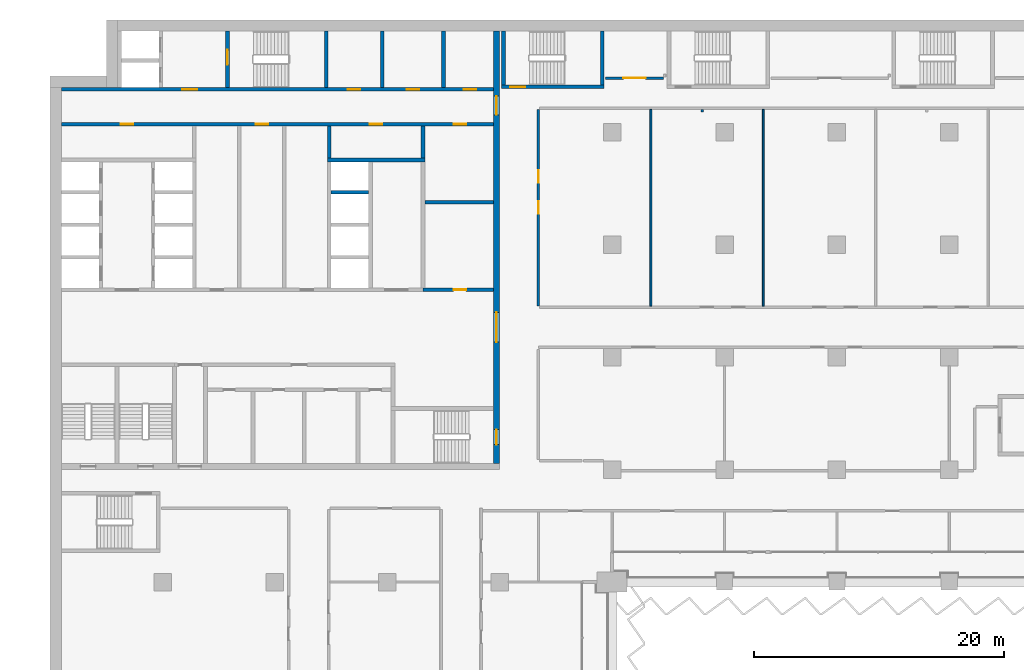
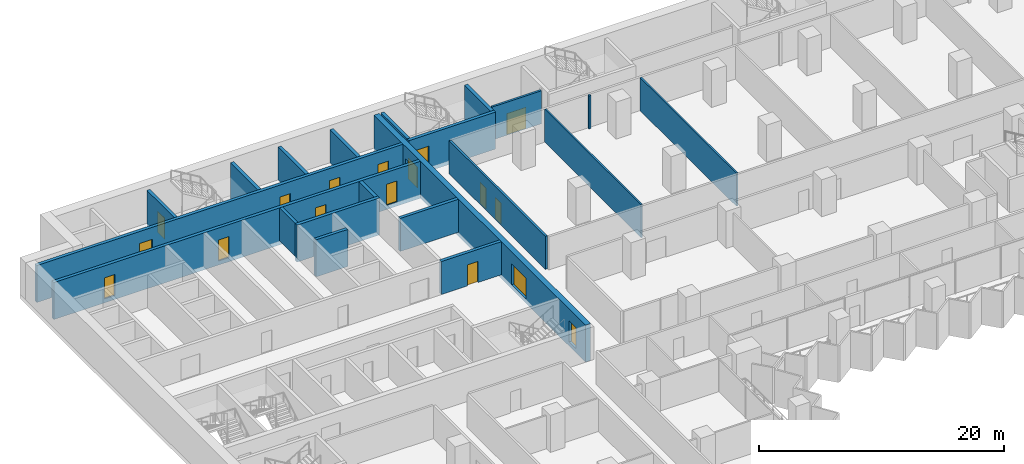
# One storey, part 15 of 29: 21 walls, 17 doors, 17 openings.
"""IFC4 building model written with IfcOpenShell, lengths in metres."""

import ifcopenshell
import ifcopenshell.guid

model = None  # the IFC model being written
_history = None  # IfcOwnerHistory: only IFC2X3 demands one
_inside = {}  # id of a spatial element -> (the spatial element, [elements in it])
_under = {}  # id of a project, library or spatial element -> (it, [spatial elements below it])
_declared = {}  # id of a project -> (the project, [libraries it declares])
_typed = {}  # id of a type object -> (the type object, [elements of that type])
_made_of = {}  # id of a material, layer set ... -> (it, [elements and type objects made of it])


def new_model(schema):
    """Start an empty IFC model of exactly this schema.

    Asked for "IFC4X3", IfcOpenShell would pick the latest addendum, in which some entities
    have other attributes; the version numbers below select the first issue.
    IFC2X3 requires an IfcOwnerHistory on every rooted entity: one is made here for all.
    """
    global model, _history
    if schema == "IFC4X3":
        model = ifcopenshell.file(schema_version=(4, 3, 0, 0))
    else:
        model = ifcopenshell.file(schema=schema)
    _inside.clear()
    _under.clear()
    _declared.clear()
    _typed.clear()
    _made_of.clear()
    _history = None
    if model.schema == "IFC2X3":
        org = make("IfcOrganization", Name="unknown")
        user = make(
            "IfcPersonAndOrganization",
            ThePerson=make("IfcPerson", FamilyName="unknown"),
            TheOrganization=org,
        )
        app = make(
            "IfcApplication",
            ApplicationDeveloper=org,
            Version="unknown",
            ApplicationFullName="unknown",
            ApplicationIdentifier="unknown",
        )
        _history = make(
            "IfcOwnerHistory",
            OwningUser=user,
            OwningApplication=app,
            ChangeAction="ADDED",
            CreationDate=0,
        )
    return model


def make(cls, **values):
    """One entity of the class cls with the attributes given. An attribute that is None is left unset."""
    return model.create_entity(
        cls, **{name: value for name, value in values.items() if value is not None}
    )


def rooted(cls, **values):
    """An entity with a GlobalId (a new one), such as an element, a storey or a relation."""
    return make(cls, GlobalId=ifcopenshell.guid.new(), OwnerHistory=_history, **values)


def si_unit(unit_type, name, prefix=None):
    """IfcSIUnit, for example si_unit("LENGTHUNIT", "METRE", prefix="MILLI")."""
    return make("IfcSIUnit", UnitType=unit_type, Prefix=prefix, Name=name)


def assignment(units):
    """IfcUnitAssignment: the units of a project."""
    return None if units is None else make("IfcUnitAssignment", Units=units)


def point(xyz):
    """IfcCartesianPoint."""
    return None if xyz is None else make("IfcCartesianPoint", Coordinates=xyz)


def direction(xyz):
    """IfcDirection."""
    return None if xyz is None else make("IfcDirection", DirectionRatios=xyz)


def frame(location, z_axis=None, x_axis=None):
    """IfcAxis2Placement3D, a coordinate frame: its origin and axes. An axis left out is left unset."""
    return make(
        "IfcAxis2Placement3D",
        Location=point(location),
        Axis=direction(z_axis),
        RefDirection=direction(x_axis),
    )


def frame_2d(location, x_axis=None):
    """IfcAxis2Placement2D, a coordinate frame in the plane: its origin and x axis."""
    return make(
        "IfcAxis2Placement2D", Location=point(location), RefDirection=direction(x_axis)
    )


def origin():
    """The frame at (0, 0, 0) with its axes left unset."""
    return frame((0.0, 0.0, 0.0))


def place(relative_to, where):
    """IfcLocalPlacement: puts the frame where relative to a parent placement (None: the world)."""
    return make(
        "IfcLocalPlacement", PlacementRelTo=relative_to, RelativePlacement=where
    )


def context(
    kind, dimensions, precision=None, world=None, true_north=None, identifier=None
):
    """IfcGeometricRepresentationContext, for example the 3D "Model" context."""
    return make(
        "IfcGeometricRepresentationContext",
        ContextIdentifier=identifier,
        ContextType=kind,
        CoordinateSpaceDimension=dimensions,
        Precision=precision,
        WorldCoordinateSystem=world,
        TrueNorth=true_north,
    )


def subcontext(parent, identifier, kind, view, scale=None):
    """IfcGeometricRepresentationSubContext, for example "Body" below "Model"."""
    return make(
        "IfcGeometricRepresentationSubContext",
        ContextIdentifier=identifier,
        ContextType=kind,
        ParentContext=parent,
        TargetScale=scale,
        TargetView=view,
    )


def project(units=None, contexts=None):
    """IfcProject with its units and contexts."""
    return rooted(
        "IfcProject",
        Name="project",
        RepresentationContexts=contexts,
        UnitsInContext=assignment(units),
    )


def spatial(cls, under=None, at=None, **own):
    """A site, building, storey or space (cls), placed at a placement, below another one or the project."""
    s = rooted(cls, ObjectPlacement=at, **own)
    if under is not None:
        _under.setdefault(under.id(), (under, []))[1].append(s)
    return s


def profile(cls, at=None, kind="AREA", **sizes):
    """A parametric profile (cls). Its sizes go by their IFC names, for example OverallWidth=200.0."""
    return make(cls, ProfileType=kind, Position=at, **sizes)


def rectangle(**sizes):
    """IfcRectangleProfileDef."""
    return profile("IfcRectangleProfileDef", **sizes)


def extrude(swept, where, along, depth):
    """IfcExtrudedAreaSolid: the profile swept, set in the frame where, extruded along a direction by depth."""
    return make(
        "IfcExtrudedAreaSolid",
        SweptArea=swept,
        Position=where,
        ExtrudedDirection=direction(along),
        Depth=depth,
    )


def shape(context_of_items, identifier, shape_type, items):
    """IfcShapeRepresentation: the items that make up one representation, for example the "Body"."""
    return make(
        "IfcShapeRepresentation",
        ContextOfItems=context_of_items,
        RepresentationIdentifier=identifier,
        RepresentationType=shape_type,
        Items=items,
    )


def material(Name=None, Category=None):
    """IfcMaterial."""
    return make("IfcMaterial", Name=Name, Category=Category)


def layer(
    of_material, thickness, ventilated=None, Name=None, Category=None, Priority=None
):
    """IfcMaterialLayer: one layer of a wall or slab, of a material (None: an air gap)."""
    return make(
        "IfcMaterialLayer",
        Material=of_material,
        LayerThickness=thickness,
        IsVentilated=ventilated,
        Name=Name,
        Category=Category,
        Priority=Priority,
    )


def layer_set(layers, Name=None):
    """IfcMaterialLayerSet."""
    return make("IfcMaterialLayerSet", MaterialLayers=layers, LayerSetName=Name)


def made_of(thing, what):
    """Note that an element or type object is made of a material, layer set ...; save() writes the relation."""
    if what is not None:
        _made_of.setdefault(what.id(), (what, []))[1].append(thing)
    return thing


def type_object(cls, material=None, **own):
    """A type object (cls), such as IfcWallType, which elements share."""
    return made_of(rooted(cls, **own), material)


def element(
    cls,
    number,
    at=None,
    inside=None,
    cuts=None,
    type_object=None,
    material=None,
    context=None,
    identifier="Body",
    shape_type=None,
    held_by="IfcProductDefinitionShape",
    body=None,
    shapes=None,
    **own,
):
    """One element of the class cls, such as IfcWall. Its Tag is "e" and its number.

    at: its placement. inside: the storey or other place that contains it. cuts: it is an
    opening in that element (IfcRelVoidsElement). A single representation is given by context,
    identifier, shape_type and body (its items); several are given by shapes. held_by: the class
    of the entity that holds the representations. save() writes the other relations.
    """
    e = rooted(cls, Tag="e%d" % number, ObjectPlacement=at, **own)
    if body is not None:
        shapes = [shape(context, identifier, shape_type, body)]
    if shapes is not None:
        e.Representation = make(held_by, Representations=shapes)
    if inside is not None:
        _inside.setdefault(inside.id(), (inside, []))[1].append(e)
    if cuts is not None:
        rooted(
            "IfcRelVoidsElement", RelatingBuildingElement=cuts, RelatedOpeningElement=e
        )
    if type_object is not None:
        _typed.setdefault(type_object.id(), (type_object, []))[1].append(e)
    return made_of(e, material)


def fill(opening, filler):
    """IfcRelFillsElement: the door or window that sits in an opening."""
    return rooted(
        "IfcRelFillsElement",
        RelatingOpeningElement=opening,
        RelatedBuildingElement=filler,
    )


def aggregate(whole, parts):
    """IfcRelAggregates: a whole, such as a stair, and the parts it consists of."""
    return rooted("IfcRelAggregates", RelatingObject=whole, RelatedObjects=parts)


def save(model, path):
    """Write the relations noted so far, then the file.

    IfcRelAggregates (storeys below a building ...), IfcRelContainedInSpatialStructure (elements
    in a storey), IfcRelDefinesByType, IfcRelAssociatesMaterial and IfcRelDeclares: one each for
    every whole, place, type object, material and project.
    """
    for whole, parts in _under.values():
        aggregate(whole, parts)
    for where, things in _inside.values():
        rooted(
            "IfcRelContainedInSpatialStructure",
            RelatedElements=things,
            RelatingStructure=where,
        )
    for kind, things in _typed.values():
        rooted("IfcRelDefinesByType", RelatedObjects=things, RelatingType=kind)
    for what, things in _made_of.values():
        rooted("IfcRelAssociatesMaterial", RelatedObjects=things, RelatingMaterial=what)
    for by, libraries in _declared.values():
        rooted("IfcRelDeclares", RelatingContext=by, RelatedDefinitions=libraries)
    model.write(path)


model = new_model("IFC4")

# Units and contexts
model_context = context("Model", 3, precision=1e-05, world=origin(), true_north=direction((0.0, 1.0)))
body_context = subcontext(model_context, "Body", "Model", "MODEL_VIEW")
ifc_project = project(units=[si_unit("LENGTHUNIT", "METRE"), si_unit("AREAUNIT", "SQUARE_METRE"), si_unit("VOLUMEUNIT", "CUBIC_METRE"), si_unit("PLANEANGLEUNIT", "RADIAN"), si_unit("MASSUNIT", "GRAM", prefix="KILO")], contexts=[model_context])

# Site, building, storey
site_placement = place(None, origin())
site = spatial("IfcSite", under=ifc_project, at=site_placement, CompositionType="ELEMENT")
building_placement = place(site_placement, origin())
building = spatial("IfcBuilding", under=site, at=building_placement, Name="Hunhe Ridgeline Campus", CompositionType="ELEMENT")
storey_placement = place(building_placement, frame((0.0, 0.0, 46.89990234375)))
storey = spatial("IfcBuildingStorey", under=building, at=storey_placement, Name="L10", CompositionType="ELEMENT", Elevation=46.89990234375)

# Wall, opening, door
ifc_material_1 = material(Name="Masonry concrete blockwork", Category="masonry")
ifc_layer_1 = layer(ifc_material_1, 0.300048828125)
ifc_layer_set_1 = layer_set([ifc_layer_1], Name="Core room partition 300 concrete block")
wall_type_1 = type_object("IfcWallType", Name="Core room partition 300 concrete block", PredefinedType="PARTITIONING", material=ifc_layer_set_1)
wall_1_placement = place(storey_placement, frame((29.85009765625, 77.39990234375, 0.0), z_axis=(0.0, 0.0, 1.0), x_axis=(1.0, 0.0, 0.0)))
wall_1 = element("IfcWall", 1, at=wall_1_placement, inside=storey, type_object=wall_type_1, Name="L10 core partition 15", PredefinedType="PARTITIONING", context=body_context, shape_type="SweptSolid", body=[
    extrude(rectangle(XDim=5.64990234375, YDim=0.300048828125, at=frame_2d((2.824951171875, 0.0))), origin(), (0.0, 0.0, 1.0), 3.300048828125),
])
opening_1_placement = place(wall_1_placement, frame((2.449951171875, 0.0, 0.0)))
opening_1 = element("IfcOpeningElement", 2, at=opening_1_placement, cuts=wall_1, Name="Opening CD32", PredefinedType="OPENING", context=body_context, shape_type="SweptSolid", body=[
    extrude(rectangle(XDim=1.0, YDim=2.10009765625, at=frame_2d((0.5, 1.050048828125))), frame((0.0, 0.14990234375, 0.0), z_axis=(0.0, -1.0, 0.0), x_axis=(1.0, 0.0, 0.0)), (0.0, 0.0, 1.0), 0.300048828125),
])
ifc_material_2 = material(Name="Solid core timber door leaf", Category="wood")
door_type_1 = type_object("IfcDoorType", Name="Timber door 1000x2100", OperationType="SINGLE_SWING_LEFT", PredefinedType="DOOR", material=ifc_material_2)
door_1_placement = place(opening_1_placement, origin())
door_1 = element("IfcDoor", 3, at=door_1_placement, inside=storey, type_object=door_type_1, Name="L10 door ES0", OperationType="SINGLE_SWING_LEFT", OverallHeight=2.10009765625, OverallWidth=1.0, PredefinedType="DOOR", context=body_context, shape_type="SweptSolid", body=[
    extrude(rectangle(XDim=1.0, YDim=2.10009765625, at=frame_2d((0.5, 1.050048828125))), frame((0.0, 0.02490234375, 0.0), z_axis=(0.0, -1.0, 0.0), x_axis=(1.0, 0.0, 0.0)), (0.0, 0.0, 1.0), 0.050048828125),
])
fill(opening_1, door_1)

# Walls
wall_2_placement = place(storey_placement, frame((30.0, 84.39990234375, 0.0), z_axis=(0.0, 0.0, 1.0), x_axis=(1.0, 0.0, 0.0)))
element("IfcWall", 4, at=wall_2_placement, inside=storey, type_object=wall_type_1, Name="L10 core partition 22", PredefinedType="PARTITIONING", context=body_context, shape_type="SweptSolid", body=[
    extrude(rectangle(XDim=5.5, YDim=0.300048828125, at=frame_2d((2.75, 0.0))), origin(), (0.0, 0.0, 1.0), 3.300048828125),
])
wall_3_placement = place(storey_placement, frame((22.35009765625, 87.949951171875, 0.0), z_axis=(0.0, 0.0, 1.0), x_axis=(0.0, 1.0, 0.0)))
element("IfcWall", 5, at=wall_3_placement, inside=storey, type_object=wall_type_1, Name="L10 core partition 54", PredefinedType="PARTITIONING", context=body_context, shape_type="SweptSolid", body=[
    extrude(rectangle(XDim=2.550048828125, YDim=0.300048828125, at=frame_2d((1.27490234375, 0.0))), origin(), (0.0, 0.0, 1.0), 3.300048828125),
])
wall_4_placement = place(storey_placement, frame((26.60009765625, 93.60009765625, 0.0), z_axis=(0.0, 0.0, 1.0), x_axis=(0.0, 1.0, 0.0)))
element("IfcWall", 6, at=wall_4_placement, inside=storey, type_object=wall_type_1, Name="L10 core partition 58", PredefinedType="PARTITIONING", context=body_context, shape_type="SweptSolid", body=[
    extrude(rectangle(XDim=4.5, YDim=0.300048828125, at=frame_2d((2.25, 0.0))), origin(), (0.0, 0.0, 1.0), 3.300048828125),
])
wall_5_placement = place(storey_placement, frame((29.85009765625, 87.949951171875, 0.0), z_axis=(0.0, 0.0, 1.0), x_axis=(0.0, 1.0, 0.0)))
element("IfcWall", 7, at=wall_5_placement, inside=storey, type_object=wall_type_1, Name="L10 core partition 62", PredefinedType="PARTITIONING", context=body_context, shape_type="SweptSolid", body=[
    extrude(rectangle(XDim=2.550048828125, YDim=0.300048828125, at=frame_2d((1.27490234375, 0.0))), origin(), (0.0, 0.0, 1.0), 3.300048828125),
])
wall_6_placement = place(storey_placement, frame((31.5, 93.60009765625, 0.0), z_axis=(0.0, 0.0, 1.0), x_axis=(0.0, 1.0, 0.0)))
element("IfcWall", 8, at=wall_6_placement, inside=storey, type_object=wall_type_1, Name="L10 core partition 63", PredefinedType="PARTITIONING", context=body_context, shape_type="SweptSolid", body=[
    extrude(rectangle(XDim=4.5, YDim=0.300048828125, at=frame_2d((2.25, 0.0))), origin(), (0.0, 0.0, 1.0), 3.300048828125),
])

# Wall, openings, doors
ifc_material_3 = material(Name="Concrete C80", Category="concrete")
ifc_layer_2 = layer(ifc_material_3, 0.5)
ifc_layer_set_2 = layer_set([ifc_layer_2], Name="Core wall 500 reinforced concrete C80")
wall_type_2 = type_object("IfcWallType", Name="Core wall 500 reinforced concrete C80", PredefinedType="SOLIDWALL", material=ifc_layer_set_2)
wall_7_placement = place(storey_placement, frame((35.75, 63.5, -0.39990234375), z_axis=(0.0, 0.0, 1.0), x_axis=(0.0, 1.0, 0.0)))
wall_7 = element("IfcWall", 9, at=wall_7_placement, inside=storey, type_object=wall_type_2, Name="L10 core wall 64", PredefinedType="SOLIDWALL", context=body_context, shape_type="SweptSolid", body=[
    extrude(rectangle(XDim=34.60009765625, YDim=0.5, at=frame_2d((17.300048828125, 0.0))), origin(), (0.0, 0.0, 1.0), 3.699951171875),
])
opening_2_placement = place(wall_7_placement, frame((9.699951171875, 0.0, 0.39990234375)))
opening_2 = element("IfcOpeningElement", 10, at=opening_2_placement, cuts=wall_7, Name="Opening CD4", PredefinedType="OPENING", context=body_context, shape_type="SweptSolid", body=[
    extrude(rectangle(XDim=2.39990234375, YDim=2.10009765625, at=frame_2d((1.199951171875, 1.050048828125))), frame((0.0, 0.25, 0.0), z_axis=(0.0, -1.0, 0.0), x_axis=(1.0, 0.0, 0.0)), (0.0, 0.0, 1.0), 0.5),
])
opening_3_placement = place(wall_7_placement, frame((27.89990234375, 0.0, 0.39990234375)))
opening_3 = element("IfcOpeningElement", 11, at=opening_3_placement, cuts=wall_7, Name="Opening CD5", PredefinedType="OPENING", context=body_context, shape_type="SweptSolid", body=[
    extrude(rectangle(XDim=1.5, YDim=2.10009765625, at=frame_2d((0.75, 1.050048828125))), frame((0.0, 0.25, 0.0), z_axis=(0.0, -1.0, 0.0), x_axis=(1.0, 0.0, 0.0)), (0.0, 0.0, 1.0), 0.5),
])
opening_4_placement = place(wall_7_placement, frame((1.5, 0.0, 0.39990234375)))
opening_4 = element("IfcOpeningElement", 12, at=opening_4_placement, cuts=wall_7, Name="Opening CD15", PredefinedType="OPENING", context=body_context, shape_type="SweptSolid", body=[
    extrude(rectangle(XDim=1.199951171875, YDim=2.10009765625, at=frame_2d((0.60009765625, 1.050048828125))), frame((0.0, 0.25, 0.0), z_axis=(0.0, -1.0, 0.0), x_axis=(1.0, 0.0, 0.0)), (0.0, 0.0, 1.0), 0.5),
])
ifc_material_4 = material(Name="Anodised aluminium and glass", Category="aluminium")
door_type_2 = type_object("IfcDoorType", Name="Glazed double door 2400x2100", OperationType="DOUBLE_DOOR_SINGLE_SWING", PredefinedType="DOOR", material=ifc_material_4)
door_2_placement = place(opening_2_placement, frame((2.39990234375, 0.0, 0.0), z_axis=(0.0, 0.0, 1.0), x_axis=(-1.0, 0.0, 0.0)))
door_2 = element("IfcDoor", 13, at=door_2_placement, inside=storey, type_object=door_type_2, Name="L10 door HALL-FLOOR", OperationType="DOUBLE_DOOR_SINGLE_SWING", OverallHeight=2.10009765625, OverallWidth=2.39990234375, PredefinedType="DOOR", context=body_context, shape_type="SweptSolid", body=[
    extrude(rectangle(XDim=2.39990234375, YDim=2.10009765625, at=frame_2d((1.199951171875, 1.050048828125))), frame((0.0, 0.02490234375, 0.0), z_axis=(0.0, -1.0, 0.0), x_axis=(1.0, 0.0, 0.0)), (0.0, 0.0, 1.0), 0.050048828125),
])
fill(opening_2, door_2)
ifc_material_5 = material(Name="Hollow metal fire door leaf")
door_type_3 = type_object("IfcDoorType", Name="Stair door 1200x2100 FD60", OperationType="SINGLE_SWING_LEFT", PredefinedType="DOOR", material=ifc_material_5)
door_3_placement = place(opening_4_placement, frame((1.199951171875, 0.0, 0.0), z_axis=(0.0, 0.0, 1.0), x_axis=(-1.0, 0.0, 0.0)))
door_3 = element("IfcDoor", 14, at=door_3_placement, inside=storey, type_object=door_type_3, Name="L10 door S2-FLOOR", OperationType="SINGLE_SWING_RIGHT", OverallHeight=2.10009765625, OverallWidth=1.199951171875, PredefinedType="DOOR", context=body_context, shape_type="SweptSolid", body=[
    extrude(rectangle(XDim=1.199951171875, YDim=2.10009765625, at=frame_2d((0.60009765625, 1.050048828125))), frame((0.0, 0.02490234375, 0.0), z_axis=(0.0, -1.0, 0.0), x_axis=(1.0, 0.0, 0.0)), (0.0, 0.0, 1.0), 0.050048828125),
])
fill(opening_4, door_3)
door_type_4 = type_object("IfcDoorType", Name="Timber door 1500x2100", OperationType="SINGLE_SWING_LEFT", PredefinedType="DOOR", material=ifc_material_2)
door_4_placement = place(opening_3_placement, frame((1.5, 0.0, 0.0), z_axis=(0.0, 0.0, 1.0), x_axis=(-1.0, 0.0, 0.0)))
door_4 = element("IfcDoor", 15, at=door_4_placement, inside=storey, type_object=door_type_4, Name="L10 door C1-FLOOR", OperationType="SINGLE_SWING_RIGHT", OverallHeight=2.10009765625, OverallWidth=1.5, PredefinedType="DOOR", context=body_context, shape_type="SweptSolid", body=[
    extrude(rectangle(XDim=1.5, YDim=2.10009765625, at=frame_2d((0.75, 1.050048828125))), frame((0.0, 0.02490234375, 0.0), z_axis=(0.0, -1.0, 0.0), x_axis=(1.0, 0.0, 0.0)), (0.0, 0.0, 1.0), 0.050048828125),
])
fill(opening_3, door_4)

# Wall, opening, door
ifc_material_6 = material(Name="Gypsum board partition")
ifc_layer_3 = layer(ifc_material_6, 0.199951171875)
ifc_layer_set_3 = layer_set([ifc_layer_3], Name="Corridor partition 200 gypsum board on steel studs")
wall_type_3 = type_object("IfcWallType", Name="Corridor partition 200 gypsum board on steel studs", PredefinedType="PARTITIONING", material=ifc_layer_set_3)
wall_8_placement = place(storey_placement, frame((44.4541015625, 94.35009765625, 0.0), z_axis=(0.0, 0.0, 1.0), x_axis=(1.0, 0.0, 0.0)))
wall_8 = element("IfcWall", 16, at=wall_8_placement, inside=storey, type_object=wall_type_3, Name="F-L10-wall-052", PredefinedType="PARTITIONING", context=body_context, shape_type="SweptSolid", body=[
    extrude(rectangle(XDim=4.6708984375, YDim=0.199951171875, at=frame_2d((2.33544921875, 0.0))), origin(), (0.0, 0.0, 1.0), 3.300048828125),
])
opening_5_placement = place(wall_8_placement, frame((1.435546875, 0.0, 0.0)))
opening_5 = element("IfcOpeningElement", 17, at=opening_5_placement, cuts=wall_8, Name="Opening RD2-047", PredefinedType="OPENING", context=body_context, shape_type="SweptSolid", body=[
    extrude(rectangle(XDim=1.800048828125, YDim=2.10009765625, at=frame_2d((0.89990234375, 1.050048828125))), frame((0.0, 0.10009765625, 0.0), z_axis=(0.0, -1.0, 0.0), x_axis=(1.0, 0.0, 0.0)), (0.0, 0.0, 1.0), 0.199951171875),
])
ifc_material_7 = material(Name="Timber door leaf", Category="wood")
door_type_5 = type_object("IfcDoorType", Name="Double fire door 1800x2100 timber FD60", OperationType="DOUBLE_DOOR_SINGLE_SWING", PredefinedType="DOOR", material=ifc_material_7)
door_5_placement = place(opening_5_placement, origin())
door_5 = element("IfcDoor", 18, at=door_5_placement, inside=storey, type_object=door_type_5, Name="F-L10-door-047", OperationType="DOUBLE_DOOR_SINGLE_SWING", OverallHeight=2.10009765625, OverallWidth=1.800048828125, PredefinedType="DOOR", context=body_context, shape_type="SweptSolid", body=[
    extrude(rectangle(XDim=1.800048828125, YDim=2.10009765625, at=frame_2d((0.89990234375, 1.050048828125))), frame((0.0, 0.02490234375, 0.0), z_axis=(0.0, -1.0, 0.0), x_axis=(1.0, 0.0, 0.0)), (0.0, 0.0, 1.0), 0.050048828125),
])
fill(opening_5, door_5)

# Wall, openings, doors
wall_9_placement = place(storey_placement, frame((39.10009765625, 91.85009765625, 0.0), z_axis=(0.0, 0.0, 1.0), x_axis=(0.0, -1.0, 0.0)))
wall_9 = element("IfcWall", 19, at=wall_9_placement, inside=storey, type_object=wall_type_3, Name="F-L10-wall-070", PredefinedType="PARTITIONING", context=body_context, shape_type="SweptSolid", body=[
    extrude(rectangle(XDim=15.75, YDim=0.199951171875, at=frame_2d((7.875, 0.0))), origin(), (0.0, 0.0, 1.0), 3.300048828125),
])
opening_6_placement = place(wall_9_placement, frame((7.375, 0.0, 0.0)))
opening_6 = element("IfcOpeningElement", 20, at=opening_6_placement, cuts=wall_9, Name="Opening RD1-045", PredefinedType="OPENING", context=body_context, shape_type="SweptSolid", body=[
    extrude(rectangle(XDim=1.0, YDim=2.10009765625, at=frame_2d((0.5, 1.050048828125))), frame((0.0, 0.10009765625, 0.0), z_axis=(0.0, -1.0, 0.0), x_axis=(1.0, 0.0, 0.0)), (0.0, 0.0, 1.0), 0.199951171875),
])
opening_7_placement = place(wall_9_placement, frame((4.875, 0.0, 0.0)))
opening_7 = element("IfcOpeningElement", 21, at=opening_7_placement, cuts=wall_9, Name="Opening RD1-046", PredefinedType="OPENING", context=body_context, shape_type="SweptSolid", body=[
    extrude(rectangle(XDim=1.0, YDim=2.10009765625, at=frame_2d((0.5, 1.050048828125))), frame((0.0, 0.10009765625, 0.0), z_axis=(0.0, -1.0, 0.0), x_axis=(1.0, 0.0, 0.0)), (0.0, 0.0, 1.0), 0.199951171875),
])
door_type_6 = type_object("IfcDoorType", Name="Single fire door 1000x2100 timber FD60", OperationType="NOTDEFINED", PredefinedType="DOOR", material=ifc_material_7)
door_6_placement = place(opening_6_placement, frame((1.0, 0.0, 0.0), z_axis=(0.0, 0.0, 1.0), x_axis=(-1.0, 0.0, 0.0)))
door_6 = element("IfcDoor", 22, at=door_6_placement, inside=storey, type_object=door_type_6, Name="F-L10-door-045", OperationType="SINGLE_SWING_LEFT", OverallHeight=2.10009765625, OverallWidth=1.0, PredefinedType="DOOR", context=body_context, shape_type="SweptSolid", body=[
    extrude(rectangle(XDim=1.0, YDim=2.10009765625, at=frame_2d((0.5, 1.050048828125))), frame((0.0, 0.02490234375, 0.0), z_axis=(0.0, -1.0, 0.0), x_axis=(1.0, 0.0, 0.0)), (0.0, 0.0, 1.0), 0.050048828125),
])
fill(opening_6, door_6)
door_7_placement = place(opening_7_placement, frame((1.0, 0.0, 0.0), z_axis=(0.0, 0.0, 1.0), x_axis=(-1.0, 0.0, 0.0)))
door_7 = element("IfcDoor", 23, at=door_7_placement, inside=storey, type_object=door_type_6, Name="F-L10-door-046", OperationType="SINGLE_SWING_RIGHT", OverallHeight=2.10009765625, OverallWidth=1.0, PredefinedType="DOOR", context=body_context, shape_type="SweptSolid", body=[
    extrude(rectangle(XDim=1.0, YDim=2.10009765625, at=frame_2d((0.5, 1.050048828125))), frame((0.0, 0.02490234375, 0.0), z_axis=(0.0, -1.0, 0.0), x_axis=(1.0, 0.0, 0.0)), (0.0, 0.0, 1.0), 0.050048828125),
])
fill(opening_7, door_7)

# Wall
wall_10_placement = place(storey_placement, frame((52.199951171875, 91.85009765625, 0.0), z_axis=(0.0, 0.0, 1.0), x_axis=(0.0, -1.0, 0.0)))
element("IfcWall", 24, at=wall_10_placement, inside=storey, type_object=wall_type_3, Name="F-L10-wall-074", PredefinedType="PARTITIONING", context=body_context, shape_type="SweptSolid", body=[
    extrude(rectangle(XDim=0.2001953125, YDim=0.199951171875, at=frame_2d((0.10009765625, 0.0))), origin(), (0.0, 0.0, 1.0), 3.300048828125),
])

# Wall, openings, doors
ifc_layer_4 = layer(ifc_material_3, 0.300048828125)
ifc_layer_set_4 = layer_set([ifc_layer_4], Name="Lobby wall 300 reinforced concrete C80")
wall_type_4 = type_object("IfcWallType", Name="Lobby wall 300 reinforced concrete C80", PredefinedType="SOLIDWALL", material=ifc_layer_set_4)
wall_11_placement = place(storey_placement, frame((0.89990234375, 90.64990234375, -0.39990234375), z_axis=(0.0, 0.0, 1.0), x_axis=(1.0, 0.0, 0.0)))
wall_11 = element("IfcWall", 25, at=wall_11_placement, inside=storey, type_object=wall_type_4, Name="L10 core wall 28", PredefinedType="SOLIDWALL", context=body_context, shape_type="SweptSolid", body=[
    extrude(rectangle(XDim=34.60009765625, YDim=0.300048828125, at=frame_2d((17.300048828125, 0.0))), origin(), (0.0, 0.0, 1.0), 3.699951171875),
])
opening_8_placement = place(wall_11_placement, frame((4.75, 0.0, 0.39990234375)))
opening_8 = element("IfcOpeningElement", 26, at=opening_8_placement, cuts=wall_11, Name="Opening CD26", PredefinedType="OPENING", context=body_context, shape_type="SweptSolid", body=[
    extrude(rectangle(XDim=1.0, YDim=2.10009765625, at=frame_2d((0.5, 1.050048828125))), frame((0.0, 0.14990234375, 0.0), z_axis=(0.0, -1.0, 0.0), x_axis=(1.0, 0.0, 0.0)), (0.0, 0.0, 1.0), 0.300048828125),
])
opening_9_placement = place(wall_11_placement, frame((24.699951171875, 0.0, 0.39990234375)))
opening_9 = element("IfcOpeningElement", 27, at=opening_9_placement, cuts=wall_11, Name="Opening CD27", PredefinedType="OPENING", context=body_context, shape_type="SweptSolid", body=[
    extrude(rectangle(XDim=1.0, YDim=2.10009765625, at=frame_2d((0.5, 1.050048828125))), frame((0.0, 0.14990234375, 0.0), z_axis=(0.0, -1.0, 0.0), x_axis=(1.0, 0.0, 0.0)), (0.0, 0.0, 1.0), 0.300048828125),
])
opening_10_placement = place(wall_11_placement, frame((15.550048828125, 0.0, 0.39990234375)))
opening_10 = element("IfcOpeningElement", 28, at=opening_10_placement, cuts=wall_11, Name="Opening CD29", PredefinedType="OPENING", context=body_context, shape_type="SweptSolid", body=[
    extrude(rectangle(XDim=1.0, YDim=2.10009765625, at=frame_2d((0.5, 1.050048828125))), frame((0.0, 0.14990234375, 0.0), z_axis=(0.0, -1.0, 0.0), x_axis=(1.0, 0.0, 0.0)), (0.0, 0.0, 1.0), 0.300048828125),
])
opening_11_placement = place(wall_11_placement, frame((31.39990234375, 0.0, 0.39990234375)))
opening_11 = element("IfcOpeningElement", 29, at=opening_11_placement, cuts=wall_11, Name="Opening CD33", PredefinedType="OPENING", context=body_context, shape_type="SweptSolid", body=[
    extrude(rectangle(XDim=1.0, YDim=2.10009765625, at=frame_2d((0.5, 1.050048828125))), frame((0.0, 0.14990234375, 0.0), z_axis=(0.0, -1.0, 0.0), x_axis=(1.0, 0.0, 0.0)), (0.0, 0.0, 1.0), 0.300048828125),
])
door_8_placement = place(opening_8_placement, frame((1.0, 0.0, 0.0), z_axis=(0.0, 0.0, 1.0), x_axis=(-1.0, 0.0, 0.0)))
door_8 = element("IfcDoor", 30, at=door_8_placement, inside=storey, type_object=door_type_1, Name="L10 door NR-0", OperationType="SINGLE_SWING_RIGHT", OverallHeight=2.10009765625, OverallWidth=1.0, PredefinedType="DOOR", context=body_context, shape_type="SweptSolid", body=[
    extrude(rectangle(XDim=1.0, YDim=2.10009765625, at=frame_2d((0.5, 1.050048828125))), frame((0.0, 0.02490234375, 0.0), z_axis=(0.0, -1.0, 0.0), x_axis=(1.0, 0.0, 0.0)), (0.0, 0.0, 1.0), 0.050048828125),
])
fill(opening_8, door_8)
door_9_placement = place(opening_9_placement, frame((1.0, 0.0, 0.0), z_axis=(0.0, 0.0, 1.0), x_axis=(-1.0, 0.0, 0.0)))
door_9 = element("IfcDoor", 31, at=door_9_placement, inside=storey, type_object=door_type_1, Name="L10 door NR-1", OperationType="SINGLE_SWING_LEFT", OverallHeight=2.10009765625, OverallWidth=1.0, PredefinedType="DOOR", context=body_context, shape_type="SweptSolid", body=[
    extrude(rectangle(XDim=1.0, YDim=2.10009765625, at=frame_2d((0.5, 1.050048828125))), frame((0.0, 0.02490234375, 0.0), z_axis=(0.0, -1.0, 0.0), x_axis=(1.0, 0.0, 0.0)), (0.0, 0.0, 1.0), 0.050048828125),
])
fill(opening_9, door_9)
door_10_placement = place(opening_10_placement, frame((1.0, 0.0, 0.0), z_axis=(0.0, 0.0, 1.0), x_axis=(-1.0, 0.0, 0.0)))
door_10 = element("IfcDoor", 32, at=door_10_placement, inside=storey, type_object=door_type_1, Name="L10 door VD-HR1", OperationType="SINGLE_SWING_LEFT", OverallHeight=2.10009765625, OverallWidth=1.0, PredefinedType="DOOR", context=body_context, shape_type="SweptSolid", body=[
    extrude(rectangle(XDim=1.0, YDim=2.10009765625, at=frame_2d((0.5, 1.050048828125))), frame((0.0, 0.02490234375, 0.0), z_axis=(0.0, -1.0, 0.0), x_axis=(1.0, 0.0, 0.0)), (0.0, 0.0, 1.0), 0.050048828125),
])
fill(opening_10, door_10)
door_11_placement = place(opening_11_placement, frame((1.0, 0.0, 0.0), z_axis=(0.0, 0.0, 1.0), x_axis=(-1.0, 0.0, 0.0)))
door_11 = element("IfcDoor", 33, at=door_11_placement, inside=storey, type_object=door_type_1, Name="L10 door ES1", OperationType="SINGLE_SWING_LEFT", OverallHeight=2.10009765625, OverallWidth=1.0, PredefinedType="DOOR", context=body_context, shape_type="SweptSolid", body=[
    extrude(rectangle(XDim=1.0, YDim=2.10009765625, at=frame_2d((0.5, 1.050048828125))), frame((0.0, 0.02490234375, 0.0), z_axis=(0.0, -1.0, 0.0), x_axis=(1.0, 0.0, 0.0)), (0.0, 0.0, 1.0), 0.050048828125),
])
fill(opening_11, door_11)

# Walls
ifc_layer_5 = layer(ifc_material_6, 0.14990234375)
ifc_layer_set_5 = layer_set([ifc_layer_5], Name="Room partition 150 gypsum board on steel studs")
wall_type_5 = type_object("IfcWallType", Name="Room partition 150 gypsum board on steel studs", PredefinedType="PARTITIONING", material=ifc_layer_set_5)
for number, where, z_axis, x_axis, name in (
    (34, (48.10009765625, 91.85009765625, 0.0), (0.0, 0.0, 1.0), (0.0, -1.0, 0.0), "F-L10-wall-072"),
    (35, (57.10009765625, 91.85009765625, 0.0), (0.0, 0.0, 1.0), (0.0, -1.0, 0.0), "F-L10-wall-077"),
):
    element("IfcWall", number, at=place(storey_placement, frame(where, z_axis=z_axis, x_axis=x_axis)), inside=storey, type_object=wall_type_5, Name=name, PredefinedType="PARTITIONING", context=body_context, shape_type="SweptSolid", body=[
        extrude(rectangle(XDim=15.75, YDim=0.14990234375, at=frame_2d((7.875, 0.0))), origin(), (0.0, 0.0, 1.0), 3.300048828125),
    ])
ifc_layer_6 = layer(ifc_material_3, 0.300048828125)
ifc_layer_set_6 = layer_set([ifc_layer_6], Name="Shaft wall 300 reinforced concrete C80")
wall_type_6 = type_object("IfcWallType", Name="Shaft wall 300 reinforced concrete C80", PredefinedType="SOLIDWALL", material=ifc_layer_set_6)
wall_12_placement = place(storey_placement, frame((22.5, 85.199951171875, -0.39990234375), z_axis=(0.0, 0.0, 1.0), x_axis=(1.0, 0.0, 0.0)))
element("IfcWall", 36, at=wall_12_placement, inside=storey, type_object=wall_type_6, Name="L10 core wall 25", PredefinedType="SOLIDWALL", context=body_context, shape_type="SweptSolid", body=[
    extrude(rectangle(XDim=3.0, YDim=0.300048828125, at=frame_2d((1.5, 0.0))), origin(), (0.0, 0.0, 1.0), 3.699951171875),
])
wall_13_placement = place(storey_placement, frame((22.199951171875, 87.800048828125, -0.39990234375), z_axis=(0.0, 0.0, 1.0), x_axis=(1.0, 0.0, 0.0)))
element("IfcWall", 37, at=wall_13_placement, inside=storey, type_object=wall_type_6, Name="L10 core wall 27", PredefinedType="SOLIDWALL", context=body_context, shape_type="SweptSolid", body=[
    extrude(rectangle(XDim=7.800048828125, YDim=0.300048828125, at=frame_2d((3.89990234375, 0.0))), origin(), (0.0, 0.0, 1.0), 3.699951171875),
])

# Wall, openings, doors
wall_14_placement = place(storey_placement, frame((0.89990234375, 93.449951171875, -0.39990234375), z_axis=(0.0, 0.0, 1.0), x_axis=(1.0, 0.0, 0.0)))
wall_14 = element("IfcWall", 38, at=wall_14_placement, inside=storey, type_object=wall_type_6, Name="L10 core wall 29", PredefinedType="SOLIDWALL", context=body_context, shape_type="SweptSolid", body=[
    extrude(rectangle(XDim=34.60009765625, YDim=0.300048828125, at=frame_2d((17.300048828125, 0.0))), origin(), (0.0, 0.0, 1.0), 3.699951171875),
])
opening_12_placement = place(wall_14_placement, frame((9.699951171875, 0.0, 0.39990234375)))
opening_12 = element("IfcOpeningElement", 39, at=opening_12_placement, cuts=wall_14, Name="Opening CD3", PredefinedType="OPENING", context=body_context, shape_type="SweptSolid", body=[
    extrude(rectangle(XDim=1.199951171875, YDim=2.10009765625, at=frame_2d((0.60009765625, 1.050048828125))), frame((0.0, 0.14990234375, 0.0), z_axis=(0.0, -1.0, 0.0), x_axis=(1.0, 0.0, 0.0)), (0.0, 0.0, 1.0), 0.300048828125),
])
opening_13_placement = place(wall_14_placement, frame((22.949951171875, 0.0, 0.39990234375)))
opening_13 = element("IfcOpeningElement", 40, at=opening_13_placement, cuts=wall_14, Name="Opening CD34", PredefinedType="OPENING", context=body_context, shape_type="SweptSolid", body=[
    extrude(rectangle(XDim=1.0, YDim=2.10009765625, at=frame_2d((0.5, 1.050048828125))), frame((0.0, 0.14990234375, 0.0), z_axis=(0.0, -1.0, 0.0), x_axis=(1.0, 0.0, 0.0)), (0.0, 0.0, 1.0), 0.300048828125),
])
opening_14_placement = place(wall_14_placement, frame((27.64990234375, 0.0, 0.39990234375)))
opening_14 = element("IfcOpeningElement", 41, at=opening_14_placement, cuts=wall_14, Name="Opening CD35", PredefinedType="OPENING", context=body_context, shape_type="SweptSolid", body=[
    extrude(rectangle(XDim=1.0, YDim=2.10009765625, at=frame_2d((0.5, 1.050048828125))), frame((0.0, 0.14990234375, 0.0), z_axis=(0.0, -1.0, 0.0), x_axis=(1.0, 0.0, 0.0)), (0.0, 0.0, 1.0), 0.300048828125),
])
opening_15_placement = place(wall_14_placement, frame((32.22509765625, 0.0, 0.39990234375)))
opening_15 = element("IfcOpeningElement", 42, at=opening_15_placement, cuts=wall_14, Name="Opening CD36", PredefinedType="OPENING", context=body_context, shape_type="SweptSolid", body=[
    extrude(rectangle(XDim=1.0, YDim=2.10009765625, at=frame_2d((0.5, 1.050048828125))), frame((0.0, 0.14990234375, 0.0), z_axis=(0.0, -1.0, 0.0), x_axis=(1.0, 0.0, 0.0)), (0.0, 0.0, 1.0), 0.300048828125),
])
door_type_7 = type_object("IfcDoorType", Name="Lobby door 1200x2100 FD60", OperationType="SINGLE_SWING_LEFT", PredefinedType="DOOR", material=ifc_material_5)
door_12_placement = place(opening_12_placement, frame((1.199951171875, 0.0, 0.0), z_axis=(0.0, 0.0, 1.0), x_axis=(-1.0, 0.0, 0.0)))
door_12 = element("IfcDoor", 43, at=door_12_placement, inside=storey, type_object=door_type_7, Name="L10 door FF-C1", OperationType="SINGLE_SWING_LEFT", OverallHeight=2.10009765625, OverallWidth=1.199951171875, PredefinedType="DOOR", context=body_context, shape_type="SweptSolid", body=[
    extrude(rectangle(XDim=1.199951171875, YDim=2.10009765625, at=frame_2d((0.60009765625, 1.050048828125))), frame((0.0, 0.02490234375, 0.0), z_axis=(0.0, -1.0, 0.0), x_axis=(1.0, 0.0, 0.0)), (0.0, 0.0, 1.0), 0.050048828125),
])
fill(opening_12, door_12)
door_13_placement = place(opening_13_placement, origin())
door_13 = element("IfcDoor", 44, at=door_13_placement, inside=storey, type_object=door_type_1, Name="L10 door NB0", OperationType="SINGLE_SWING_LEFT", OverallHeight=2.10009765625, OverallWidth=1.0, PredefinedType="DOOR", context=body_context, shape_type="SweptSolid", body=[
    extrude(rectangle(XDim=1.0, YDim=2.10009765625, at=frame_2d((0.5, 1.050048828125))), frame((0.0, 0.02490234375, 0.0), z_axis=(0.0, -1.0, 0.0), x_axis=(1.0, 0.0, 0.0)), (0.0, 0.0, 1.0), 0.050048828125),
])
fill(opening_13, door_13)
door_14_placement = place(opening_14_placement, origin())
door_14 = element("IfcDoor", 45, at=door_14_placement, inside=storey, type_object=door_type_1, Name="L10 door NB1", OperationType="SINGLE_SWING_RIGHT", OverallHeight=2.10009765625, OverallWidth=1.0, PredefinedType="DOOR", context=body_context, shape_type="SweptSolid", body=[
    extrude(rectangle(XDim=1.0, YDim=2.10009765625, at=frame_2d((0.5, 1.050048828125))), frame((0.0, 0.02490234375, 0.0), z_axis=(0.0, -1.0, 0.0), x_axis=(1.0, 0.0, 0.0)), (0.0, 0.0, 1.0), 0.050048828125),
])
fill(opening_14, door_14)
door_15_placement = place(opening_15_placement, origin())
door_15 = element("IfcDoor", 46, at=door_15_placement, inside=storey, type_object=door_type_1, Name="L10 door NB2", OperationType="SINGLE_SWING_LEFT", OverallHeight=2.10009765625, OverallWidth=1.0, PredefinedType="DOOR", context=body_context, shape_type="SweptSolid", body=[
    extrude(rectangle(XDim=1.0, YDim=2.10009765625, at=frame_2d((0.5, 1.050048828125))), frame((0.0, 0.02490234375, 0.0), z_axis=(0.0, -1.0, 0.0), x_axis=(1.0, 0.0, 0.0)), (0.0, 0.0, 1.0), 0.050048828125),
])
fill(opening_15, door_15)

# Wall, opening, door
ifc_layer_7 = layer(ifc_material_3, 0.300048828125)
ifc_layer_set_7 = layer_set([ifc_layer_7], Name="Stair wall 300 reinforced concrete C80")
wall_type_7 = type_object("IfcWallType", Name="Stair wall 300 reinforced concrete C80", PredefinedType="SOLIDWALL", material=ifc_layer_set_7)
wall_15_placement = place(storey_placement, frame((36.14990234375, 93.64990234375, -0.39990234375), z_axis=(0.0, 0.0, 1.0), x_axis=(1.0, 0.0, 0.0)))
wall_15 = element("IfcWall", 47, at=wall_15_placement, inside=storey, type_object=wall_type_7, Name="L10 core wall 30", PredefinedType="SOLIDWALL", context=body_context, shape_type="SweptSolid", body=[
    extrude(rectangle(XDim=8.2001953125, YDim=0.300048828125, at=frame_2d((4.10009765625, 0.0))), origin(), (0.0, 0.0, 1.0), 3.699951171875),
])
opening_16_placement = place(wall_15_placement, frame((0.699951171875, 0.0, 0.39990234375)))
opening_16 = element("IfcOpeningElement", 48, at=opening_16_placement, cuts=wall_15, Name="Opening CD17", PredefinedType="OPENING", context=body_context, shape_type="SweptSolid", body=[
    extrude(rectangle(XDim=1.199951171875, YDim=2.10009765625, at=frame_2d((0.60009765625, 1.050048828125))), frame((0.0, 0.14990234375, 0.0), z_axis=(0.0, -1.0, 0.0), x_axis=(1.0, 0.0, 0.0)), (0.0, 0.0, 1.0), 0.300048828125),
])
door_16_placement = place(opening_16_placement, frame((1.199951171875, 0.0, 0.0), z_axis=(0.0, 0.0, 1.0), x_axis=(-1.0, 0.0, 0.0)))
door_16 = element("IfcDoor", 49, at=door_16_placement, inside=storey, type_object=door_type_3, Name="L10 door E1", OperationType="SINGLE_SWING_RIGHT", OverallHeight=2.10009765625, OverallWidth=1.199951171875, PredefinedType="DOOR", context=body_context, shape_type="SweptSolid", body=[
    extrude(rectangle(XDim=1.199951171875, YDim=2.10009765625, at=frame_2d((0.60009765625, 1.050048828125))), frame((0.0, 0.02490234375, 0.0), z_axis=(0.0, -1.0, 0.0), x_axis=(1.0, 0.0, 0.0)), (0.0, 0.0, 1.0), 0.050048828125),
])
fill(opening_16, door_16)

wall_16_placement = place(storey_placement, frame((14.199951171875, 93.60009765625, -0.39990234375), z_axis=(0.0, 0.0, 1.0), x_axis=(0.0, 1.0, 0.0)))
wall_16 = element("IfcWall", 50, at=wall_16_placement, inside=storey, type_object=wall_type_7, Name="L10 core wall 46", PredefinedType="SOLIDWALL", context=body_context, shape_type="SweptSolid", body=[
    extrude(rectangle(XDim=4.5, YDim=0.300048828125, at=frame_2d((2.25, 0.0))), origin(), (0.0, 0.0, 1.0), 3.699951171875),
])
opening_17_placement = place(wall_16_placement, frame((1.800048828125, 0.0, 0.39990234375)))
opening_17 = element("IfcOpeningElement", 51, at=opening_17_placement, cuts=wall_16, Name="Opening CD16", PredefinedType="OPENING", context=body_context, shape_type="SweptSolid", body=[
    extrude(rectangle(XDim=1.199951171875, YDim=2.10009765625, at=frame_2d((0.60009765625, 1.050048828125))), frame((0.0, 0.14990234375, 0.0), z_axis=(0.0, -1.0, 0.0), x_axis=(1.0, 0.0, 0.0)), (0.0, 0.0, 1.0), 0.300048828125),
])
door_17_placement = place(opening_17_placement, origin())
door_17 = element("IfcDoor", 52, at=door_17_placement, inside=storey, type_object=door_type_3, Name="L10 door S1-FF", OperationType="SINGLE_SWING_LEFT", OverallHeight=2.10009765625, OverallWidth=1.199951171875, PredefinedType="DOOR", context=body_context, shape_type="SweptSolid", body=[
    extrude(rectangle(XDim=1.199951171875, YDim=2.10009765625, at=frame_2d((0.60009765625, 1.050048828125))), frame((0.0, 0.02490234375, 0.0), z_axis=(0.0, -1.0, 0.0), x_axis=(1.0, 0.0, 0.0)), (0.0, 0.0, 1.0), 0.050048828125),
])
fill(opening_17, door_17)

# Walls
wall_17_placement = place(storey_placement, frame((22.10009765625, 93.60009765625, -0.39990234375), z_axis=(0.0, 0.0, 1.0), x_axis=(0.0, 1.0, 0.0)))
element("IfcWall", 53, at=wall_17_placement, inside=storey, type_object=wall_type_7, Name="L10 core wall 52", PredefinedType="SOLIDWALL", context=body_context, shape_type="SweptSolid", body=[
    extrude(rectangle(XDim=4.5, YDim=0.300048828125, at=frame_2d((2.25, 0.0))), origin(), (0.0, 0.0, 1.0), 3.699951171875),
])
for number, where, z_axis, x_axis, name in (
    (54, (36.300048828125, 93.800048828125, -0.39990234375), (0.0, 0.0, 1.0), (0.0, 1.0, 0.0), "L10 core wall 65"),
    (55, (44.199951171875, 93.800048828125, -0.39990234375), (0.0, 0.0, 1.0), (0.0, 1.0, 0.0), "L10 core wall 66"),
):
    element("IfcWall", number, at=place(storey_placement, frame(where, z_axis=z_axis, x_axis=x_axis)), inside=storey, type_object=wall_type_7, Name=name, PredefinedType="SOLIDWALL", context=body_context, shape_type="SweptSolid", body=[
        extrude(rectangle(XDim=4.300048828125, YDim=0.300048828125, at=frame_2d((2.14990234375, 0.0))), origin(), (0.0, 0.0, 1.0), 3.699951171875),
    ])

save(model, "model.ifc")
